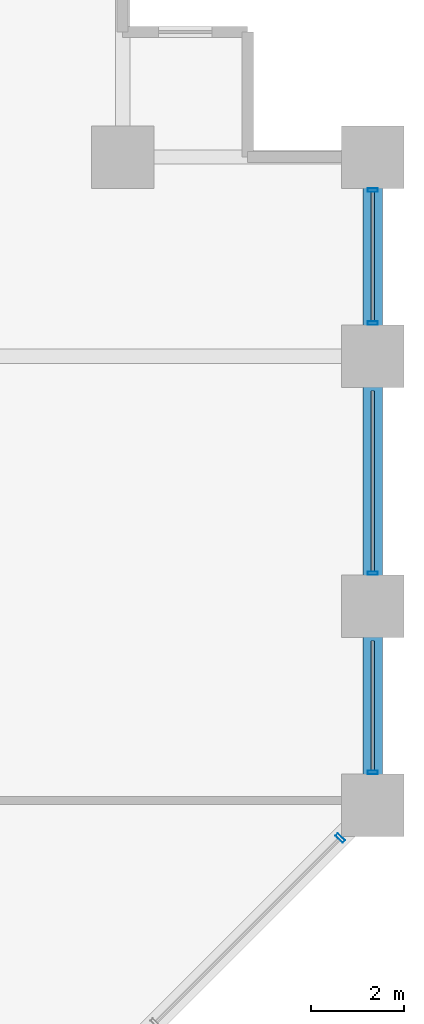
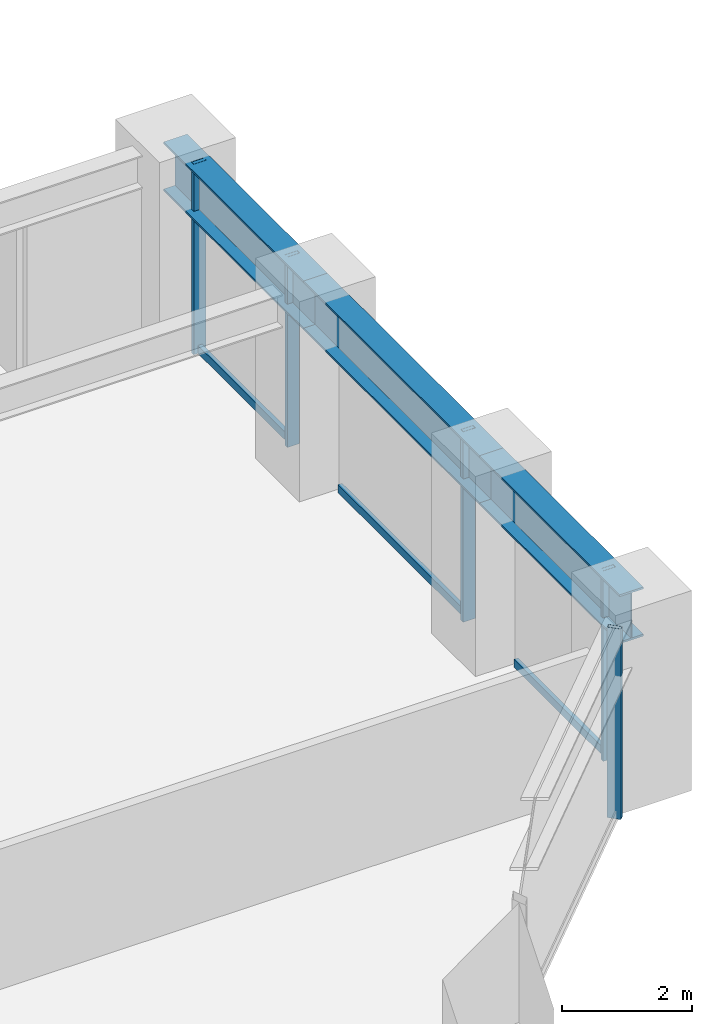
# One storey, part 17 of 25: 8 members, 3 beams, 2 elements without a shape of their own.
"""IFC4 building model written with IfcOpenShell, lengths in metres."""

from ifc_helpers import new_model, si_unit, direction, frame, origin, origin_2d, place, context, subcontext, project, spatial, hollow_rectangle, i_section, extrude, material, layer, layer_set, material_profile, profile_set, type_object, element, aggregate, save


model = new_model("IFC4")

# Units and contexts
model_context = context("Model", 3, precision=1e-05, world=origin(), true_north=direction((0.0, 1.0)))
body_context = subcontext(model_context, "Body", "Model", "MODEL_VIEW")
ifc_project = project(units=[si_unit("LENGTHUNIT", "METRE"), si_unit("AREAUNIT", "SQUARE_METRE"), si_unit("VOLUMEUNIT", "CUBIC_METRE"), si_unit("PLANEANGLEUNIT", "RADIAN"), si_unit("MASSUNIT", "GRAM", prefix="KILO")], contexts=[model_context])

# Site, building, storey
site_placement = place(None, origin())
site = spatial("IfcSite", under=ifc_project, at=site_placement, CompositionType="ELEMENT")
building_placement = place(site_placement, origin())
building = spatial("IfcBuilding", under=site, at=building_placement, Name="Surkhivell Harbour Commons", CompositionType="ELEMENT")
storey_placement = place(building_placement, frame((0.0, 0.0, 52.5)))
storey = spatial("IfcBuildingStorey", under=building, at=storey_placement, Name="L13", CompositionType="ELEMENT", Elevation=52.5)

# Beams
ifc_material_1 = material(Name="Steel S460", Category="steel")
ifc_material_profile_1 = material_profile(ifc_material_1, i_section(OverallWidth=0.419921875, OverallDepth=0.9208984375, WebThickness=0.021484375, FlangeThickness=0.03662109375, at=origin_2d()), Name="UB914x419x388")
ifc_profile_set_1 = profile_set([ifc_material_profile_1], Name="Steel S460")
beam_type = type_object("IfcBeamType", Name="BM-SPN-914A", PredefinedType="SPANDREL", material=ifc_profile_set_1)
beam_1_placement = place(storey_placement, frame((32.39990234375, 6.5, 3.109619140625), z_axis=(0.0, 1.0, 0.0), x_axis=(-1.0, 0.0, 0.0)))
element("IfcBeam", 1, at=beam_1_placement, inside=storey, type_object=beam_type, Name="L13 Tube Spandrel (32.4,6.5)", PredefinedType="SPANDREL", context=body_context, shape_type="SweptSolid", body=[
    extrude(i_section(OverallWidth=0.419921875, OverallDepth=0.9208984375, WebThickness=0.021484375, FlangeThickness=0.03662109375, at=origin_2d()), origin(), (0.0, 0.0, 1.0), 4.300048828125),
])
beam_2_placement = place(storey_placement, frame((32.39990234375, 10.800048828125, 3.109619140625), z_axis=(0.0, 1.0, 0.0), x_axis=(-1.0, 0.0, 0.0)))
element("IfcBeam", 2, at=beam_2_placement, inside=storey, type_object=beam_type, Name="L13 Tube Spandrel (32.4,10.8)", PredefinedType="SPANDREL", context=body_context, shape_type="SweptSolid", body=[
    extrude(i_section(OverallWidth=0.419921875, OverallDepth=0.9208984375, WebThickness=0.021484375, FlangeThickness=0.03662109375, at=origin_2d()), origin(), (0.0, 0.0, 1.0), 5.39990234375),
])
beam_3_placement = place(storey_placement, frame((32.39990234375, 16.199951171875, 3.109619140625), z_axis=(0.0, 1.0, 0.0), x_axis=(-1.0, 0.0, 0.0)))
element("IfcBeam", 3, at=beam_3_placement, inside=storey, type_object=beam_type, Name="L13 Tube Spandrel (32.4,16.2)", PredefinedType="SPANDREL", context=body_context, shape_type="SweptSolid", body=[
    extrude(i_section(OverallWidth=0.419921875, OverallDepth=0.9208984375, WebThickness=0.021484375, FlangeThickness=0.03662109375, at=origin_2d()), origin(), (0.0, 0.0, 1.0), 4.300048828125),
])

# Curtain wall, member
ifc_material_2 = material(Name="Anodised pale-metal aluminium and insulated glazing", Category="aluminium")
ifc_layer = layer(ifc_material_2, 0.219970703125)
ifc_layer_set = layer_set([ifc_layer], Name="Anodised pale-metal aluminium and insulated glazing")
curtain_wall_type = type_object("IfcCurtainWallType", Name="CW-SYS-Z1", PredefinedType="NOTDEFINED", material=ifc_layer_set)
curtain_wall_1_placement = place(storey_placement, origin())
curtain_wall_1 = element("IfcCurtainWall", 4, at=curtain_wall_1_placement, inside=storey, type_object=curtain_wall_type, Name="L13 Curtain Wall CW-L13-E01", PredefinedType="NOTDEFINED")
ifc_material_3 = material(Name="Anodised pale-metal aluminium alloy 6063-T6", Category="aluminium")
ifc_material_profile_2 = material_profile(ifc_material_3, hollow_rectangle(XDim=0.074951171875, YDim=0.219970703125, WallThickness=0.00390625, at=origin_2d()), Name="ALU-MULL-75x220")
ifc_profile_set_2 = profile_set([ifc_material_profile_2], Name="Anodised pale-metal aluminium alloy 6063-T6")
member_type_1 = type_object("IfcMemberType", Name="CWM-220", PredefinedType="MULLION", material=ifc_profile_set_2)
member_1_placement = place(storey_placement, frame((31.69677734375, 5.796630859375, 0.0), z_axis=(0.0, 0.0, 1.0), x_axis=(0.707106781187, 0.707106781187, 0.0)))
member_1 = element("IfcMember", 5, at=member_1_placement, type_object=member_type_1, Name="CW-Z1 mullion 7", PredefinedType="MULLION", context=body_context, shape_type="SweptSolid", body=[
    extrude(hollow_rectangle(XDim=0.074951171875, YDim=0.219970703125, WallThickness=0.00390625, at=origin_2d()), origin(), (0.0, 0.0, 1.0), 3.570068359375),
])
aggregate(curtain_wall_1, [member_1])

# Curtain wall, members
curtain_wall_2_placement = place(storey_placement, origin())
curtain_wall_2 = element("IfcCurtainWall", 6, at=curtain_wall_2_placement, inside=storey, type_object=curtain_wall_type, Name="L13 Curtain Wall CW-L13-E02", PredefinedType="NOTDEFINED")
member_2_placement = place(storey_placement, frame((32.39990234375, 7.214599609375, 0.0), z_axis=(0.0, 0.0, 1.0), x_axis=(0.0, 1.0, 0.0)))
member_2 = element("IfcMember", 7, at=member_2_placement, type_object=member_type_1, Name="CW-Z1 mullion 1", PredefinedType="MULLION", context=body_context, shape_type="SweptSolid", body=[
    extrude(hollow_rectangle(XDim=0.074951171875, YDim=0.219970703125, WallThickness=0.00390625, at=origin_2d()), origin(), (0.0, 0.0, 1.0), 3.570068359375),
])
member_3_placement = place(storey_placement, frame((32.39990234375, 11.514404296875, 0.0), z_axis=(0.0, 0.0, 1.0), x_axis=(0.0, 1.0, 0.0)))
member_3 = element("IfcMember", 8, at=member_3_placement, type_object=member_type_1, Name="CW-Z1 mullion 2", PredefinedType="MULLION", context=body_context, shape_type="SweptSolid", body=[
    extrude(hollow_rectangle(XDim=0.074951171875, YDim=0.219970703125, WallThickness=0.00390625, at=origin_2d()), origin(), (0.0, 0.0, 1.0), 3.570068359375),
])
member_4_placement = place(storey_placement, frame((32.39990234375, 16.91455078125, 0.0), z_axis=(0.0, 0.0, 1.0), x_axis=(0.0, 1.0, 0.0)))
member_4 = element("IfcMember", 9, at=member_4_placement, type_object=member_type_1, Name="CW-Z1 mullion 3", PredefinedType="MULLION", context=body_context, shape_type="SweptSolid", body=[
    extrude(hollow_rectangle(XDim=0.074951171875, YDim=0.219970703125, WallThickness=0.00390625, at=origin_2d()), origin(), (0.0, 0.0, 1.0), 3.570068359375),
])
member_5_placement = place(storey_placement, frame((32.39990234375, 19.785400390625, 0.0), z_axis=(0.0, 0.0, 1.0), x_axis=(0.0, 1.0, 0.0)))
member_5 = element("IfcMember", 10, at=member_5_placement, type_object=member_type_1, Name="CW-Z1 mullion 4", PredefinedType="MULLION", context=body_context, shape_type="SweptSolid", body=[
    extrude(hollow_rectangle(XDim=0.074951171875, YDim=0.219970703125, WallThickness=0.00390625, at=origin_2d()), origin(), (0.0, 0.0, 1.0), 3.570068359375),
])
ifc_material_profile_3 = material_profile(ifc_material_3, hollow_rectangle(XDim=0.074951171875, YDim=0.14990234375, WallThickness=0.00341796875, at=origin_2d()), Name="ALU-TRAN-75x150")
ifc_profile_set_3 = profile_set([ifc_material_profile_3], Name="Anodised pale-metal aluminium alloy 6063-T6")
member_type_2 = type_object("IfcMemberType", Name="CWT-150", PredefinedType="USERDEFINED", material=ifc_profile_set_3)
member_6_placement = place(storey_placement, frame((32.39990234375, 7.251953125, 0.074951171875), z_axis=(0.0, 1.0, 0.0), x_axis=(-1.0, 0.0, 0.0)))
member_6 = element("IfcMember", 11, at=member_6_placement, type_object=member_type_2, Name="CW-Z1 transom 1.1", ObjectType="TRANSOM", PredefinedType="USERDEFINED", context=body_context, shape_type="SweptSolid", body=[
    extrude(hollow_rectangle(XDim=0.074951171875, YDim=0.14990234375, WallThickness=0.00341796875, at=origin_2d()), origin(), (0.0, 0.0, 1.0), 2.796142578125),
])
member_7_placement = place(storey_placement, frame((32.39990234375, 11.552001953125, 0.074951171875), z_axis=(0.0, 1.0, 0.0), x_axis=(-1.0, 0.0, 0.0)))
member_7 = element("IfcMember", 12, at=member_7_placement, type_object=member_type_2, Name="CW-Z1 transom 2.1", ObjectType="TRANSOM", PredefinedType="USERDEFINED", context=body_context, shape_type="SweptSolid", body=[
    extrude(hollow_rectangle(XDim=0.074951171875, YDim=0.14990234375, WallThickness=0.00341796875, at=origin_2d()), origin(), (0.0, 0.0, 1.0), 3.89599609375),
])
member_8_placement = place(storey_placement, frame((32.39990234375, 16.951904296875, 0.074951171875), z_axis=(0.0, 1.0, 0.0), x_axis=(-1.0, 0.0, 0.0)))
member_8 = element("IfcMember", 13, at=member_8_placement, type_object=member_type_2, Name="CW-Z1 transom 3.1", ObjectType="TRANSOM", PredefinedType="USERDEFINED", context=body_context, shape_type="SweptSolid", body=[
    extrude(hollow_rectangle(XDim=0.074951171875, YDim=0.14990234375, WallThickness=0.00341796875, at=origin_2d()), origin(), (0.0, 0.0, 1.0), 2.796142578125),
])
aggregate(curtain_wall_2, [member_2, member_6, member_3, member_7, member_4, member_5, member_8])

save(model, "model.ifc")
